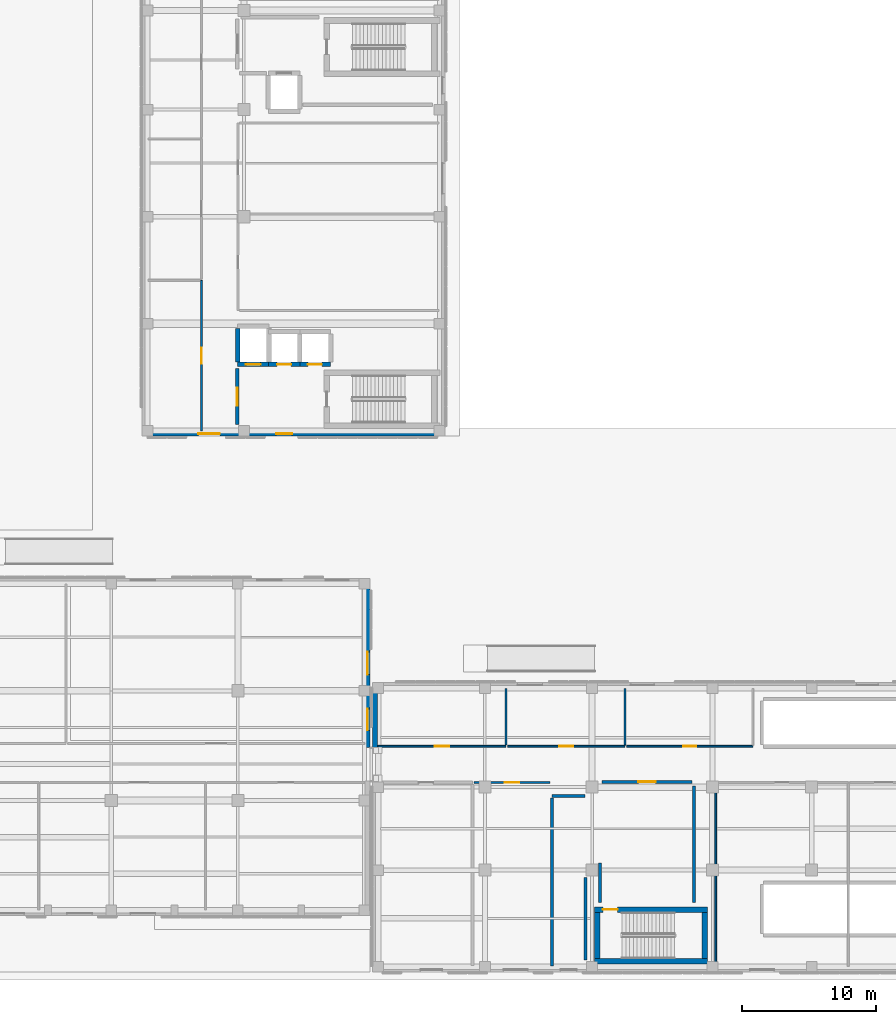
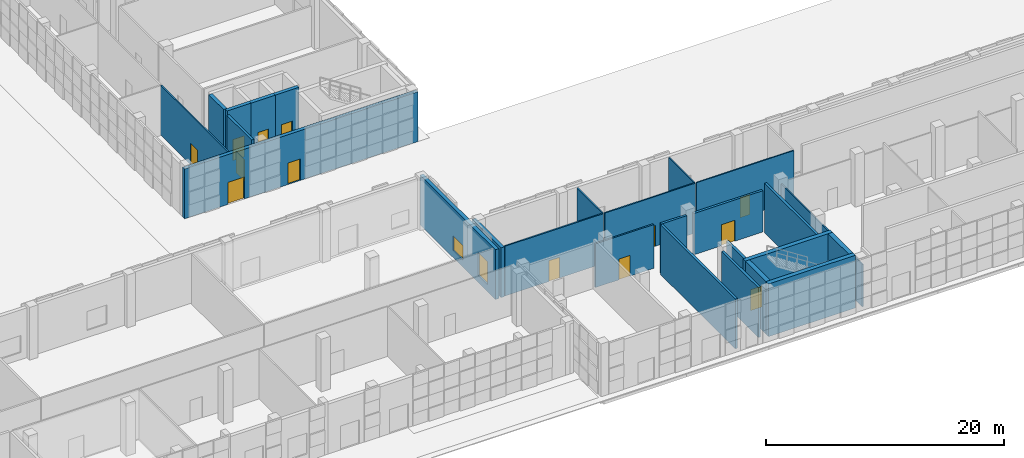
# One storey, part 11 of 40: 26 walls, 13 doors, 2 windows, 15 openings.
"""IFC4 building model written with IfcOpenShell, lengths in metres."""

import ifcopenshell
import ifcopenshell.guid

model = None  # the IFC model being written
_history = None  # IfcOwnerHistory: only IFC2X3 demands one
_inside = {}  # id of a spatial element -> (the spatial element, [elements in it])
_under = {}  # id of a project, library or spatial element -> (it, [spatial elements below it])
_declared = {}  # id of a project -> (the project, [libraries it declares])
_typed = {}  # id of a type object -> (the type object, [elements of that type])
_made_of = {}  # id of a material, layer set ... -> (it, [elements and type objects made of it])


def new_model(schema):
    """Start an empty IFC model of exactly this schema.

    Asked for "IFC4X3", IfcOpenShell would pick the latest addendum, in which some entities
    have other attributes; the version numbers below select the first issue.
    IFC2X3 requires an IfcOwnerHistory on every rooted entity: one is made here for all.
    """
    global model, _history
    if schema == "IFC4X3":
        model = ifcopenshell.file(schema_version=(4, 3, 0, 0))
    else:
        model = ifcopenshell.file(schema=schema)
    _inside.clear()
    _under.clear()
    _declared.clear()
    _typed.clear()
    _made_of.clear()
    _history = None
    if model.schema == "IFC2X3":
        org = make("IfcOrganization", Name="unknown")
        user = make(
            "IfcPersonAndOrganization",
            ThePerson=make("IfcPerson", FamilyName="unknown"),
            TheOrganization=org,
        )
        app = make(
            "IfcApplication",
            ApplicationDeveloper=org,
            Version="unknown",
            ApplicationFullName="unknown",
            ApplicationIdentifier="unknown",
        )
        _history = make(
            "IfcOwnerHistory",
            OwningUser=user,
            OwningApplication=app,
            ChangeAction="ADDED",
            CreationDate=0,
        )
    return model


def make(cls, **values):
    """One entity of the class cls with the attributes given. An attribute that is None is left unset."""
    return model.create_entity(
        cls, **{name: value for name, value in values.items() if value is not None}
    )


def rooted(cls, **values):
    """An entity with a GlobalId (a new one), such as an element, a storey or a relation."""
    return make(cls, GlobalId=ifcopenshell.guid.new(), OwnerHistory=_history, **values)


def si_unit(unit_type, name, prefix=None):
    """IfcSIUnit, for example si_unit("LENGTHUNIT", "METRE", prefix="MILLI")."""
    return make("IfcSIUnit", UnitType=unit_type, Prefix=prefix, Name=name)


def assignment(units):
    """IfcUnitAssignment: the units of a project."""
    return None if units is None else make("IfcUnitAssignment", Units=units)


def point(xyz):
    """IfcCartesianPoint."""
    return None if xyz is None else make("IfcCartesianPoint", Coordinates=xyz)


def direction(xyz):
    """IfcDirection."""
    return None if xyz is None else make("IfcDirection", DirectionRatios=xyz)


def frame(location, z_axis=None, x_axis=None):
    """IfcAxis2Placement3D, a coordinate frame: its origin and axes. An axis left out is left unset."""
    return make(
        "IfcAxis2Placement3D",
        Location=point(location),
        Axis=direction(z_axis),
        RefDirection=direction(x_axis),
    )


def frame_2d(location, x_axis=None):
    """IfcAxis2Placement2D, a coordinate frame in the plane: its origin and x axis."""
    return make(
        "IfcAxis2Placement2D", Location=point(location), RefDirection=direction(x_axis)
    )


def origin():
    """The frame at (0, 0, 0) with its axes left unset."""
    return frame((0.0, 0.0, 0.0))


def place(relative_to, where):
    """IfcLocalPlacement: puts the frame where relative to a parent placement (None: the world)."""
    return make(
        "IfcLocalPlacement", PlacementRelTo=relative_to, RelativePlacement=where
    )


def context(
    kind, dimensions, precision=None, world=None, true_north=None, identifier=None
):
    """IfcGeometricRepresentationContext, for example the 3D "Model" context."""
    return make(
        "IfcGeometricRepresentationContext",
        ContextIdentifier=identifier,
        ContextType=kind,
        CoordinateSpaceDimension=dimensions,
        Precision=precision,
        WorldCoordinateSystem=world,
        TrueNorth=true_north,
    )


def subcontext(parent, identifier, kind, view, scale=None):
    """IfcGeometricRepresentationSubContext, for example "Body" below "Model"."""
    return make(
        "IfcGeometricRepresentationSubContext",
        ContextIdentifier=identifier,
        ContextType=kind,
        ParentContext=parent,
        TargetScale=scale,
        TargetView=view,
    )


def project(units=None, contexts=None):
    """IfcProject with its units and contexts."""
    return rooted(
        "IfcProject",
        Name="project",
        RepresentationContexts=contexts,
        UnitsInContext=assignment(units),
    )


def spatial(cls, under=None, at=None, **own):
    """A site, building, storey or space (cls), placed at a placement, below another one or the project."""
    s = rooted(cls, ObjectPlacement=at, **own)
    if under is not None:
        _under.setdefault(under.id(), (under, []))[1].append(s)
    return s


def profile(cls, at=None, kind="AREA", **sizes):
    """A parametric profile (cls). Its sizes go by their IFC names, for example OverallWidth=200.0."""
    return make(cls, ProfileType=kind, Position=at, **sizes)


def rectangle(**sizes):
    """IfcRectangleProfileDef."""
    return profile("IfcRectangleProfileDef", **sizes)


def extrude(swept, where, along, depth):
    """IfcExtrudedAreaSolid: the profile swept, set in the frame where, extruded along a direction by depth."""
    return make(
        "IfcExtrudedAreaSolid",
        SweptArea=swept,
        Position=where,
        ExtrudedDirection=direction(along),
        Depth=depth,
    )


def shape(context_of_items, identifier, shape_type, items):
    """IfcShapeRepresentation: the items that make up one representation, for example the "Body"."""
    return make(
        "IfcShapeRepresentation",
        ContextOfItems=context_of_items,
        RepresentationIdentifier=identifier,
        RepresentationType=shape_type,
        Items=items,
    )


def material(Name=None, Category=None):
    """IfcMaterial."""
    return make("IfcMaterial", Name=Name, Category=Category)


def layer(
    of_material, thickness, ventilated=None, Name=None, Category=None, Priority=None
):
    """IfcMaterialLayer: one layer of a wall or slab, of a material (None: an air gap)."""
    return make(
        "IfcMaterialLayer",
        Material=of_material,
        LayerThickness=thickness,
        IsVentilated=ventilated,
        Name=Name,
        Category=Category,
        Priority=Priority,
    )


def layer_set(layers, Name=None):
    """IfcMaterialLayerSet."""
    return make("IfcMaterialLayerSet", MaterialLayers=layers, LayerSetName=Name)


def made_of(thing, what):
    """Note that an element or type object is made of a material, layer set ...; save() writes the relation."""
    if what is not None:
        _made_of.setdefault(what.id(), (what, []))[1].append(thing)
    return thing


def type_object(cls, material=None, **own):
    """A type object (cls), such as IfcWallType, which elements share."""
    return made_of(rooted(cls, **own), material)


def element(
    cls,
    number,
    at=None,
    inside=None,
    cuts=None,
    type_object=None,
    material=None,
    context=None,
    identifier="Body",
    shape_type=None,
    held_by="IfcProductDefinitionShape",
    body=None,
    shapes=None,
    **own,
):
    """One element of the class cls, such as IfcWall. Its Tag is "e" and its number.

    at: its placement. inside: the storey or other place that contains it. cuts: it is an
    opening in that element (IfcRelVoidsElement). A single representation is given by context,
    identifier, shape_type and body (its items); several are given by shapes. held_by: the class
    of the entity that holds the representations. save() writes the other relations.
    """
    e = rooted(cls, Tag="e%d" % number, ObjectPlacement=at, **own)
    if body is not None:
        shapes = [shape(context, identifier, shape_type, body)]
    if shapes is not None:
        e.Representation = make(held_by, Representations=shapes)
    if inside is not None:
        _inside.setdefault(inside.id(), (inside, []))[1].append(e)
    if cuts is not None:
        rooted(
            "IfcRelVoidsElement", RelatingBuildingElement=cuts, RelatedOpeningElement=e
        )
    if type_object is not None:
        _typed.setdefault(type_object.id(), (type_object, []))[1].append(e)
    return made_of(e, material)


def fill(opening, filler):
    """IfcRelFillsElement: the door or window that sits in an opening."""
    return rooted(
        "IfcRelFillsElement",
        RelatingOpeningElement=opening,
        RelatedBuildingElement=filler,
    )


def aggregate(whole, parts):
    """IfcRelAggregates: a whole, such as a stair, and the parts it consists of."""
    return rooted("IfcRelAggregates", RelatingObject=whole, RelatedObjects=parts)


def save(model, path):
    """Write the relations noted so far, then the file.

    IfcRelAggregates (storeys below a building ...), IfcRelContainedInSpatialStructure (elements
    in a storey), IfcRelDefinesByType, IfcRelAssociatesMaterial and IfcRelDeclares: one each for
    every whole, place, type object, material and project.
    """
    for whole, parts in _under.values():
        aggregate(whole, parts)
    for where, things in _inside.values():
        rooted(
            "IfcRelContainedInSpatialStructure",
            RelatedElements=things,
            RelatingStructure=where,
        )
    for kind, things in _typed.values():
        rooted("IfcRelDefinesByType", RelatedObjects=things, RelatingType=kind)
    for what, things in _made_of.values():
        rooted("IfcRelAssociatesMaterial", RelatedObjects=things, RelatingMaterial=what)
    for by, libraries in _declared.values():
        rooted("IfcRelDeclares", RelatingContext=by, RelatedDefinitions=libraries)
    model.write(path)


model = new_model("IFC4")

# Units and contexts
model_context = context("Model", 3, precision=1e-05, world=origin(), true_north=direction((0.0, 1.0)))
body_context = subcontext(model_context, "Body", "Model", "MODEL_VIEW")
ifc_project = project(units=[si_unit("LENGTHUNIT", "METRE"), si_unit("AREAUNIT", "SQUARE_METRE"), si_unit("VOLUMEUNIT", "CUBIC_METRE"), si_unit("PLANEANGLEUNIT", "RADIAN"), si_unit("MASSUNIT", "GRAM", prefix="KILO")], contexts=[model_context])

# Site, building, storey
site_placement = place(None, origin())
site = spatial("IfcSite", under=ifc_project, at=site_placement, CompositionType="ELEMENT")
building_placement = place(site_placement, origin())
building = spatial("IfcBuilding", under=site, at=building_placement, Name="Qalavern Law Courts", CompositionType="ELEMENT")
storey_placement = place(building_placement, origin())
storey = spatial("IfcBuildingStorey", under=building, at=storey_placement, Name="L00", CompositionType="ELEMENT", Elevation=0.0)

# Wall, openings, windows
ifc_material_1 = material(Name="Concrete C40/50", Category="concrete")
ifc_layer_1 = layer(ifc_material_1, 0.340087890625)
ifc_layer_set_1 = layer_set([ifc_layer_1], Name="Concrete C40/50")
wall_type_1 = type_object("IfcWallType", Name="ENV-EW-340", PredefinedType="SOLIDWALL", material=ifc_layer_set_1)
wall_1_placement = place(storey_placement, frame((101.030029296875, 17.75, 0.0), z_axis=(0.0, 0.0, 1.0), x_axis=(0.0, 1.0, 0.0)))
wall_1 = element("IfcWall", 1, at=wall_1_placement, inside=storey, type_object=wall_type_1, Name="V2 exterior wall L00 east 2", PredefinedType="SOLIDWALL", context=body_context, shape_type="SweptSolid", body=[
    extrude(rectangle(XDim=12.64990234375, YDim=0.340087890625, at=frame_2d((6.324951171875, 0.0))), origin(), (0.0, 0.0, 1.0), 5.10009765625),
])
opening_1_placement = place(wall_1_placement, frame((1.300048828125, 0.0, 0.719970703125)))
opening_1 = element("IfcOpeningElement", 2, at=opening_1_placement, cuts=wall_1, Name="Opening WN-34", PredefinedType="OPENING", context=body_context, shape_type="SweptSolid", body=[
    extrude(rectangle(XDim=1.60009765625, YDim=2.35009765625, at=frame_2d((0.800048828125, 1.175048828125))), frame((0.0, 0.18505859375, 0.0), z_axis=(0.0, -1.0, 0.0), x_axis=(1.0, 0.0, 0.0)), (0.0, 0.0, 1.0), 0.369873046875),
])
opening_2_placement = place(wall_1_placement, frame((5.449951171875, 0.0, 0.719970703125)))
opening_2 = element("IfcOpeningElement", 3, at=opening_2_placement, cuts=wall_1, Name="Opening WN-05", PredefinedType="OPENING", context=body_context, shape_type="SweptSolid", body=[
    extrude(rectangle(XDim=1.699951171875, YDim=1.5, at=frame_2d((0.85009765625, 0.75))), frame((0.0, 0.18505859375, 0.0), z_axis=(0.0, -1.0, 0.0), x_axis=(1.0, 0.0, 0.0)), (0.0, 0.0, 1.0), 0.369873046875),
])
ifc_material_2 = material(Name="Anodised aluminium frame with low-E double glazing", Category="aluminium")
window_type_1 = type_object("IfcWindowType", Name="ENV-WIN-1600x2350", PartitioningType="SINGLE_PANEL", PredefinedType="WINDOW", material=ifc_material_2)
window_1_placement = place(opening_1_placement, origin())
window_1 = element("IfcWindow", 4, at=window_1_placement, inside=storey, type_object=window_type_1, Name="V2 window L00 east 1", OverallHeight=2.35009765625, OverallWidth=1.60009765625, PartitioningType="SINGLE_PANEL", PredefinedType="WINDOW", context=body_context, shape_type="SweptSolid", body=[
    extrude(rectangle(XDim=1.60009765625, YDim=2.35009765625, at=frame_2d((0.800048828125, 1.175048828125))), frame((0.0, 0.030029296875, 0.0), z_axis=(0.0, -1.0, 0.0), x_axis=(1.0, 0.0, 0.0)), (0.0, 0.0, 1.0), 0.06005859375),
])
fill(opening_1, window_1)
window_type_2 = type_object("IfcWindowType", Name="ENV-WIN-1700x1500", PartitioningType="SINGLE_PANEL", PredefinedType="WINDOW", material=ifc_material_2)
window_2_placement = place(opening_2_placement, origin())
window_2 = element("IfcWindow", 5, at=window_2_placement, inside=storey, type_object=window_type_2, Name="V2 window L00 east 2", OverallHeight=1.5, OverallWidth=1.699951171875, PartitioningType="SINGLE_PANEL", PredefinedType="WINDOW", context=body_context, shape_type="SweptSolid", body=[
    extrude(rectangle(XDim=1.699951171875, YDim=1.5, at=frame_2d((0.85009765625, 0.75))), frame((0.0, 0.030029296875, 0.0), z_axis=(0.0, -1.0, 0.0), x_axis=(1.0, 0.0, 0.0)), (0.0, 0.0, 1.0), 0.06005859375),
])
fill(opening_2, window_2)

# Wall, openings, doors
wall_2_placement = place(storey_placement, frame((84.199951171875, 41.18994140625, 0.0), z_axis=(0.0, 0.0, 1.0), x_axis=(1.0, 0.0, 0.0)))
wall_2 = element("IfcWall", 6, at=wall_2_placement, inside=storey, type_object=wall_type_1, Name="V4 exterior wall L00 south 1", PredefinedType="SOLIDWALL", context=body_context, shape_type="SweptSolid", body=[
    extrude(rectangle(XDim=22.60009765625, YDim=0.340087890625, at=frame_2d((11.300048828125, 0.0))), origin(), (0.0, 0.0, 1.0), 5.10009765625),
])
opening_3_placement = place(wall_2_placement, frame((4.199951171875, 0.0, 0.0)))
opening_3 = element("IfcOpeningElement", 7, at=opening_3_placement, cuts=wall_2, Name="Opening ED-CORR-V4S", PredefinedType="OPENING", context=body_context, shape_type="SweptSolid", body=[
    extrude(rectangle(XDim=1.60009765625, YDim=2.260009765625, at=frame_2d((0.800048828125, 1.1298828125))), frame((0.0, 0.18505859375, 0.0), z_axis=(0.0, -1.0, 0.0), x_axis=(1.0, 0.0, 0.0)), (0.0, 0.0, 1.0), 0.369873046875),
])
opening_4_placement = place(wall_2_placement, frame((10.0, 0.0, 0.0)))
opening_4 = element("IfcOpeningElement", 8, at=opening_4_placement, cuts=wall_2, Name="Opening ED-ST-K1A", PredefinedType="OPENING", context=body_context, shape_type="SweptSolid", body=[
    extrude(rectangle(XDim=1.199951171875, YDim=2.199951171875, at=frame_2d((0.60009765625, 1.10009765625))), frame((0.0, 0.18505859375, 0.0), z_axis=(0.0, -1.0, 0.0), x_axis=(1.0, 0.0, 0.0)), (0.0, 0.0, 1.0), 0.369873046875),
])
ifc_material_3 = material(Name="Thermally broken anodised aluminium and laminated safety glass", Category="aluminium")
door_type_1 = type_object("IfcDoorType", Name="ENV-ED-1200x2200", OperationType="NOTDEFINED", PredefinedType="DOOR", material=ifc_material_3)
door_1_placement = place(opening_4_placement, frame((1.199951171875, 0.0, 0.0), z_axis=(0.0, 0.0, 1.0), x_axis=(-1.0, 0.0, 0.0)))
door_1 = element("IfcDoor", 9, at=door_1_placement, inside=storey, type_object=door_type_1, Name="Ground pedestrian exit door ED-ST-K1A", OperationType="SINGLE_SWING_LEFT", OverallHeight=2.199951171875, OverallWidth=1.199951171875, PredefinedType="DOOR", context=body_context, shape_type="SweptSolid", body=[
    extrude(rectangle(XDim=1.199951171875, YDim=2.199951171875, at=frame_2d((0.60009765625, 1.10009765625))), frame((0.0, 0.02490234375, 0.0), z_axis=(0.0, -1.0, 0.0), x_axis=(1.0, 0.0, 0.0)), (0.0, 0.0, 1.0), 0.050048828125),
])
fill(opening_4, door_1)
door_type_2 = type_object("IfcDoorType", Name="ENV-ED-1600x2260", OperationType="DOUBLE_DOOR_SINGLE_SWING", PredefinedType="DOOR", material=ifc_material_3)
door_2_placement = place(opening_3_placement, frame((1.60009765625, 0.0, 0.0), z_axis=(0.0, 0.0, 1.0), x_axis=(-1.0, 0.0, 0.0)))
door_2 = element("IfcDoor", 10, at=door_2_placement, inside=storey, type_object=door_type_2, Name="Ground pedestrian exit door ED-CORR-V4S", OperationType="DOUBLE_DOOR_SINGLE_SWING", OverallHeight=2.260009765625, OverallWidth=1.60009765625, PredefinedType="DOOR", context=body_context, shape_type="SweptSolid", body=[
    extrude(rectangle(XDim=1.60009765625, YDim=2.260009765625, at=frame_2d((0.800048828125, 1.1298828125))), frame((0.0, 0.02490234375, 0.0), z_axis=(0.0, -1.0, 0.0), x_axis=(1.0, 0.0, 0.0)), (0.0, 0.0, 1.0), 0.050048828125),
])
fill(opening_3, door_2)

# Walls
wall_3_placement = place(storey_placement, frame((101.590087890625, 22.60009765625, 0.0), z_axis=(0.0, 0.0, 1.0), x_axis=(0.0, -1.0, 0.0)))
element("IfcWall", 11, at=wall_3_placement, inside=storey, type_object=wall_type_1, Name="V6 exterior wall L00 west 1", PredefinedType="SOLIDWALL", context=body_context, shape_type="SweptSolid", body=[
    extrude(rectangle(XDim=4.85009765625, YDim=0.340087890625, at=frame_2d((2.425048828125, 0.0))), origin(), (0.0, 0.0, 1.0), 5.10009765625),
])
ifc_material_4 = material(Name="Concrete C45/55", Category="concrete")
ifc_layer_2 = layer(ifc_material_4, 0.4150390625)
ifc_layer_set_2 = layer_set([ifc_layer_2], Name="Concrete C45/55")
wall_type_2 = type_object("IfcWallType", Name="INT-CW-415", PredefinedType="SHEAR", material=ifc_layer_set_2)
wall_4_placement = place(storey_placement, frame((117.985107421875, 1.79248046875, 0.0), z_axis=(0.0, 0.0, 1.0), x_axis=(1.0, 0.0, 0.0)))
element("IfcWall", 12, at=wall_4_placement, inside=storey, type_object=wall_type_2, Name="Core K5 stair shear wall L00 south", PredefinedType="SHEAR", context=body_context, shape_type="SweptSolid", body=[
    extrude(rectangle(XDim=8.429931640625, YDim=0.4150390625, at=frame_2d((4.21484375, 0.0))), origin(), (0.0, 0.0, 1.0), 5.39990234375),
])
wall_5_placement = place(storey_placement, frame((126.20751953125, 2.0, 0.0), z_axis=(0.0, 0.0, 1.0), x_axis=(0.0, 1.0, 0.0)))
element("IfcWall", 13, at=wall_5_placement, inside=storey, type_object=wall_type_2, Name="Core K5 stair shear wall L00 east", PredefinedType="SHEAR", context=body_context, shape_type="SweptSolid", body=[
    extrude(rectangle(XDim=3.449951171875, YDim=0.4150390625, at=frame_2d((1.72509765625, 0.0))), origin(), (0.0, 0.0, 1.0), 5.39990234375),
])

# Wall, opening, door
wall_6_placement = place(storey_placement, frame((126.4150390625, 5.657470703125, 0.0), z_axis=(0.0, 0.0, 1.0), x_axis=(-1.0, 0.0, 0.0)))
wall_6 = element("IfcWall", 14, at=wall_6_placement, inside=storey, type_object=wall_type_2, Name="Core K5 stair shear wall L00 north", PredefinedType="SHEAR", context=body_context, shape_type="SweptSolid", body=[
    extrude(rectangle(XDim=8.429931640625, YDim=0.4150390625, at=frame_2d((4.21484375, 0.0))), origin(), (0.0, 0.0, 1.0), 5.39990234375),
])
opening_5_placement = place(wall_6_placement, frame((6.715087890625, 0.0, 0.0)))
opening_5 = element("IfcOpeningElement", 15, at=opening_5_placement, cuts=wall_6, Name="Opening L00-D105", PredefinedType="OPENING", context=body_context, shape_type="SweptSolid", body=[
    extrude(rectangle(XDim=1.10009765625, YDim=2.14990234375, at=frame_2d((0.550048828125, 1.074951171875))), frame((0.0, 0.222412109375, 0.0), z_axis=(0.0, -1.0, 0.0), x_axis=(1.0, 0.0, 0.0)), (0.0, 0.0, 1.0), 0.44482421875),
])
ifc_material_5 = material(Name="Steel fire-rated stair enclosure door", Category="steel")
door_type_3 = type_object("IfcDoorType", Name="INT-FD-1100x2150", OperationType="NOTDEFINED", PredefinedType="DOOR", material=ifc_material_5)
door_3_placement = place(opening_5_placement, frame((1.10009765625, 0.0, 0.0), z_axis=(0.0, 0.0, 1.0), x_axis=(-1.0, 0.0, 0.0)))
door_3 = element("IfcDoor", 16, at=door_3_placement, inside=storey, type_object=door_type_3, Name="Stair K5 fire door L00", OperationType="SINGLE_SWING_LEFT", OverallHeight=2.14990234375, OverallWidth=1.10009765625, PredefinedType="DOOR", context=body_context, shape_type="SweptSolid", body=[
    extrude(rectangle(XDim=1.10009765625, YDim=2.14990234375, at=frame_2d((0.550048828125, 1.074951171875))), frame((0.0, 0.02490234375, 0.0), z_axis=(0.0, -1.0, 0.0), x_axis=(1.0, 0.0, 0.0)), (0.0, 0.0, 1.0), 0.050048828125),
])
fill(opening_5, door_3)

# Wall
wall_7_placement = place(storey_placement, frame((118.1923828125, 5.449951171875, 0.0), z_axis=(0.0, 0.0, 1.0), x_axis=(0.0, -1.0, 0.0)))
element("IfcWall", 17, at=wall_7_placement, inside=storey, type_object=wall_type_2, Name="Core K5 stair shear wall L00 west", PredefinedType="SHEAR", context=body_context, shape_type="SweptSolid", body=[
    extrude(rectangle(XDim=3.449951171875, YDim=0.4150390625, at=frame_2d((1.72509765625, 0.0))), origin(), (0.0, 0.0, 1.0), 5.39990234375),
])

# Wall, opening, door
ifc_layer_3 = layer(ifc_material_1, 0.22509765625)
ifc_layer_set_3 = layer_set([ifc_layer_3], Name="Concrete C40/50")
wall_type_3 = type_object("IfcWallType", Name="INT-FW-225", PredefinedType="PARTITIONING", material=ifc_layer_set_3)
wall_8_placement = place(storey_placement, frame((118.550048828125, 15.199951171875, 0.0), z_axis=(0.0, 0.0, 1.0), x_axis=(1.0, 0.0, 0.0)))
wall_8 = element("IfcWall", 18, at=wall_8_placement, inside=storey, type_object=wall_type_3, Name="Core K5 firefighting/stair lobby fire wall L00", PredefinedType="PARTITIONING", context=body_context, shape_type="SweptSolid", body=[
    extrude(rectangle(XDim=6.699951171875, YDim=0.22509765625, at=frame_2d((3.35009765625, 0.0))), origin(), (0.0, 0.0, 1.0), 4.22998046875),
])
opening_6_placement = place(wall_8_placement, frame((2.699951171875, 0.0, 0.0)))
opening_6 = element("IfcOpeningElement", 19, at=opening_6_placement, cuts=wall_8, Name="Opening L00-D106", PredefinedType="OPENING", context=body_context, shape_type="SweptSolid", body=[
    extrude(rectangle(XDim=1.300048828125, YDim=2.14990234375, at=frame_2d((0.64990234375, 1.074951171875))), frame((0.0, 0.12744140625, 0.0), z_axis=(0.0, -1.0, 0.0), x_axis=(1.0, 0.0, 0.0)), (0.0, 0.0, 1.0), 0.2548828125),
])
ifc_material_6 = material(Name="Steel fire-rated frame and acoustic timber leaves", Category="steel")
door_type_4 = type_object("IfcDoorType", Name="INT-FD-1300x2150", OperationType="DOUBLE_DOOR_SINGLE_SWING", PredefinedType="DOOR", material=ifc_material_6)
door_4_placement = place(opening_6_placement, origin())
door_4 = element("IfcDoor", 20, at=door_4_placement, inside=storey, type_object=door_type_4, Name="Core K5 lobby fire door L00", OperationType="DOUBLE_DOOR_SINGLE_SWING", OverallHeight=2.14990234375, OverallWidth=1.300048828125, PredefinedType="DOOR", context=body_context, shape_type="SweptSolid", body=[
    extrude(rectangle(XDim=1.300048828125, YDim=2.14990234375, at=frame_2d((0.64990234375, 1.074951171875))), frame((0.0, 0.02490234375, 0.0), z_axis=(0.0, -1.0, 0.0), x_axis=(1.0, 0.0, 0.0)), (0.0, 0.0, 1.0), 0.050048828125),
])
fill(opening_6, door_4)

# Walls
wall_9_placement = place(storey_placement, frame((118.39990234375, 6.199951171875, 0.0), z_axis=(0.0, 0.0, 1.0), x_axis=(0.0, 1.0, 0.0)))
element("IfcWall", 21, at=wall_9_placement, inside=storey, type_object=wall_type_3, Name="Core K5 lobby return wall L00 west", PredefinedType="PARTITIONING", context=body_context, shape_type="SweptSolid", body=[
    extrude(rectangle(XDim=2.949951171875, YDim=0.22509765625, at=frame_2d((1.47509765625, 0.0))), origin(), (0.0, 0.0, 1.0), 5.10009765625),
])
wall_10_placement = place(storey_placement, frame((125.39990234375, 6.199951171875, 0.0), z_axis=(0.0, 0.0, 1.0), x_axis=(0.0, 1.0, 0.0)))
element("IfcWall", 22, at=wall_10_placement, inside=storey, type_object=wall_type_3, Name="Core K5 lobby return wall L00 east", PredefinedType="PARTITIONING", context=body_context, shape_type="SweptSolid", body=[
    extrude(rectangle(XDim=8.699951171875, YDim=0.22509765625, at=frame_2d((4.35009765625, 0.0))), origin(), (0.0, 0.0, 1.0), 5.10009765625),
])
wall_11_placement = place(storey_placement, frame((114.800048828125, 14.14990234375, 0.0), z_axis=(0.0, 0.0, 1.0), x_axis=(1.0, 0.0, 0.0)))
element("IfcWall", 23, at=wall_11_placement, inside=storey, type_object=wall_type_3, Name="Core K5 protected exit discharge wall L00 pas-n", PredefinedType="PARTITIONING", context=body_context, shape_type="SweptSolid", body=[
    extrude(rectangle(XDim=2.47998046875, YDim=0.22509765625, at=frame_2d((1.239990234375, 0.0))), origin(), (0.0, 0.0, 1.0), 5.10009765625),
])
wall_12_placement = place(storey_placement, frame((114.800048828125, 1.43994140625, 0.0), z_axis=(0.0, 0.0, 1.0), x_axis=(0.0, 1.0, 0.0)))
element("IfcWall", 24, at=wall_12_placement, inside=storey, type_object=wall_type_3, Name="Core K5 protected exit discharge wall L00 pas-w", PredefinedType="PARTITIONING", context=body_context, shape_type="SweptSolid", body=[
    extrude(rectangle(XDim=12.56005859375, YDim=0.22509765625, at=frame_2d((6.280029296875, 0.0))), origin(), (0.0, 0.0, 1.0), 5.10009765625),
])
wall_13_placement = place(storey_placement, frame((117.300048828125, 1.89990234375, 0.0), z_axis=(0.0, 0.0, 1.0), x_axis=(0.0, 1.0, 0.0)))
element("IfcWall", 25, at=wall_13_placement, inside=storey, type_object=wall_type_3, Name="Core K5 protected exit discharge wall L00 pas-e", PredefinedType="PARTITIONING", context=body_context, shape_type="SweptSolid", body=[
    extrude(rectangle(XDim=6.150146484375, YDim=0.22509765625, at=frame_2d((3.0751953125, 0.0))), origin(), (0.0, 0.0, 1.0), 5.10009765625),
])

# Wall, opening, door
ifc_layer_4 = layer(ifc_material_1, 0.2451171875)
ifc_layer_set_4 = layer_set([ifc_layer_4], Name="Concrete C40/50")
wall_type_4 = type_object("IfcWallType", Name="INT-FW-245", PredefinedType="PARTITIONING", material=ifc_layer_set_4)
wall_14_placement = place(storey_placement, frame((91.300048828125, 41.8798828125, 0.0), z_axis=(0.0, 0.0, 1.0), x_axis=(0.0, 1.0, 0.0)))
wall_14 = element("IfcWall", 26, at=wall_14_placement, inside=storey, type_object=wall_type_4, Name="Core K1A firefighting/stair lobby fire wall L00", PredefinedType="PARTITIONING", context=body_context, shape_type="SweptSolid", body=[
    extrude(rectangle(XDim=4.170166015625, YDim=0.2451171875, at=frame_2d((2.0849609375, 0.0))), origin(), (0.0, 0.0, 1.0), 5.10009765625),
])
opening_7_placement = place(wall_14_placement, frame((1.409912109375, 0.0, 0.0)))
opening_7 = element("IfcOpeningElement", 27, at=opening_7_placement, cuts=wall_14, Name="Opening L00-D006", PredefinedType="OPENING", context=body_context, shape_type="SweptSolid", body=[
    extrude(rectangle(XDim=1.35009765625, YDim=2.199951171875, at=frame_2d((0.675048828125, 1.10009765625))), frame((0.0, 0.137451171875, 0.0), z_axis=(0.0, -1.0, 0.0), x_axis=(1.0, 0.0, 0.0)), (0.0, 0.0, 1.0), 0.27490234375),
])
door_type_5 = type_object("IfcDoorType", Name="INT-FD-1350x2200", OperationType="DOUBLE_DOOR_SINGLE_SWING", PredefinedType="DOOR", material=ifc_material_6)
door_5_placement = place(opening_7_placement, origin())
door_5 = element("IfcDoor", 28, at=door_5_placement, inside=storey, type_object=door_type_5, Name="Core K1A lobby fire door L00", OperationType="DOUBLE_DOOR_SINGLE_SWING", OverallHeight=2.199951171875, OverallWidth=1.35009765625, PredefinedType="DOOR", context=body_context, shape_type="SweptSolid", body=[
    extrude(rectangle(XDim=1.35009765625, YDim=2.199951171875, at=frame_2d((0.675048828125, 1.10009765625))), frame((0.0, 0.02490234375, 0.0), z_axis=(0.0, -1.0, 0.0), x_axis=(1.0, 0.0, 0.0)), (0.0, 0.0, 1.0), 0.050048828125),
])
fill(opening_7, door_5)

# Wall
ifc_material_7 = material(Name="Gypsum stud partition")
ifc_layer_5 = layer(ifc_material_7, 0.1220703125)
ifc_layer_set_5 = layer_set([ifc_layer_5], Name="Gypsum stud partition")
wall_type_5 = type_object("IfcWallType", Name="INT-PW-122", PredefinedType="PARTITIONING", material=ifc_layer_set_5)
wall_15_placement = place(storey_placement, frame((127.0400390625, 1.43994140625, 0.0), z_axis=(0.0, 0.0, 1.0), x_axis=(0.0, 1.0, 0.0)))
element("IfcWall", 29, at=wall_15_placement, inside=storey, type_object=wall_type_5, Name="Mediation Suite cross partition L00 west", PredefinedType="PARTITIONING", context=body_context, shape_type="SweptSolid", body=[
    extrude(rectangle(XDim=13.619140625, YDim=0.1220703125, at=frame_2d((6.8095703125, 0.0))), origin(), (0.0, 0.0, 1.0), 4.330078125),
])

# Wall, opening, door
wall_16_placement = place(storey_placement, frame((120.3759765625, 17.860107421875, 0.0), z_axis=(0.0, 0.0, 1.0), x_axis=(1.0, 0.0, 0.0)))
wall_16 = element("IfcWall", 30, at=wall_16_placement, inside=storey, type_object=wall_type_5, Name="Accessible WC corridor partition L00", PredefinedType="PARTITIONING", context=body_context, shape_type="SweptSolid", body=[
    extrude(rectangle(XDim=9.43408203125, YDim=0.1220703125, at=frame_2d((4.717041015625, 0.0))), origin(), (0.0, 0.0, 1.0), 5.10009765625),
])
opening_8_placement = place(wall_16_placement, frame((4.2470703125, 0.0, 0.0)))
opening_8 = element("IfcOpeningElement", 31, at=opening_8_placement, cuts=wall_16, Name="Opening L00-D421", PredefinedType="OPENING", context=body_context, shape_type="SweptSolid", body=[
    extrude(rectangle(XDim=0.93994140625, YDim=2.070068359375, at=frame_2d((0.469970703125, 1.03515625))), frame((0.0, 0.075927734375, 0.0), z_axis=(0.0, -1.0, 0.0), x_axis=(1.0, 0.0, 0.0)), (0.0, 0.0, 1.0), 0.15185546875),
])
ifc_material_8 = material(Name="Accessible WC outward-clear door")
door_type_6 = type_object("IfcDoorType", Name="INT-ID-940x2070", OperationType="NOTDEFINED", PredefinedType="DOOR", material=ifc_material_8)
door_6_placement = place(opening_8_placement, origin())
door_6 = element("IfcDoor", 32, at=door_6_placement, inside=storey, type_object=door_type_6, Name="Accessible WC door L00", OperationType="SINGLE_SWING_RIGHT", OverallHeight=2.070068359375, OverallWidth=0.93994140625, PredefinedType="DOOR", context=body_context, shape_type="SweptSolid", body=[
    extrude(rectangle(XDim=0.93994140625, YDim=2.070068359375, at=frame_2d((0.469970703125, 1.03515625))), frame((0.0, 0.02490234375, 0.0), z_axis=(0.0, -1.0, 0.0), x_axis=(1.0, 0.0, 0.0)), (0.0, 0.0, 1.0), 0.050048828125),
])
fill(opening_8, door_6)

ifc_layer_6 = layer(ifc_material_7, 0.132080078125)
ifc_layer_set_6 = layer_set([ifc_layer_6], Name="Gypsum stud partition")
wall_type_6 = type_object("IfcWallType", Name="INT-PW-132", PredefinedType="PARTITIONING", material=ifc_layer_set_6)
wall_17_placement = place(storey_placement, frame((88.639892578125, 41.39990234375, 0.0), z_axis=(0.0, 0.0, 1.0), x_axis=(0.0, 1.0, 0.0)))
wall_17 = element("IfcWall", 33, at=wall_17_placement, inside=storey, type_object=wall_type_6, Name="Civil Case Registry corridor partition L00", PredefinedType="PARTITIONING", context=body_context, shape_type="SweptSolid", body=[
    extrude(rectangle(XDim=11.25, YDim=0.132080078125, at=frame_2d((5.625, 0.0))), origin(), (0.0, 0.0, 1.0), 5.10009765625),
])
opening_9_placement = place(wall_17_placement, frame((5.014892578125, 0.0, 0.0)))
opening_9 = element("IfcOpeningElement", 34, at=opening_9_placement, cuts=wall_17, Name="Opening L00-D254", PredefinedType="OPENING", context=body_context, shape_type="SweptSolid", body=[
    extrude(rectangle(XDim=1.219970703125, YDim=2.179931640625, at=frame_2d((0.60986328125, 1.08984375))), frame((0.0, 0.0810546875, 0.0), z_axis=(0.0, -1.0, 0.0), x_axis=(1.0, 0.0, 0.0)), (0.0, 0.0, 1.0), 0.161865234375),
])
ifc_material_9 = material(Name="Wide oak Plenary Boardroom door")
door_type_7 = type_object("IfcDoorType", Name="INT-ID-1220x2180", OperationType="NOTDEFINED", PredefinedType="DOOR", material=ifc_material_9)
door_7_placement = place(opening_9_placement, frame((1.219970703125, 0.0, 0.0), z_axis=(0.0, 0.0, 1.0), x_axis=(-1.0, 0.0, 0.0)))
door_7 = element("IfcDoor", 35, at=door_7_placement, inside=storey, type_object=door_type_7, Name="Civil Case Registry door L00", OperationType="SINGLE_SWING_LEFT", OverallHeight=2.179931640625, OverallWidth=1.219970703125, PredefinedType="DOOR", context=body_context, shape_type="SweptSolid", body=[
    extrude(rectangle(XDim=1.219970703125, YDim=2.179931640625, at=frame_2d((0.60986328125, 1.08984375))), frame((0.0, 0.02490234375, 0.0), z_axis=(0.0, -1.0, 0.0), x_axis=(1.0, 0.0, 0.0)), (0.0, 0.0, 1.0), 0.050048828125),
])
fill(opening_9, door_7)

wall_18_placement = place(storey_placement, frame((111.491943359375, 17.860107421875, 0.0), z_axis=(0.0, 0.0, 1.0), x_axis=(1.0, 0.0, 0.0)))
wall_18 = element("IfcWall", 36, at=wall_18_placement, inside=storey, type_object=wall_type_6, Name="Security Control Office corridor partition L00", PredefinedType="PARTITIONING", context=body_context, shape_type="SweptSolid", body=[
    extrude(rectangle(XDim=8.76416015625, YDim=0.132080078125, at=frame_2d((4.382080078125, 0.0))), origin(), (0.0, 0.0, 1.0), 5.10009765625),
])
opening_10_placement = place(wall_18_placement, frame((3.866943359375, 0.0, 0.0)))
opening_10 = element("IfcOpeningElement", 37, at=opening_10_placement, cuts=wall_18, Name="Opening L00-D420", PredefinedType="OPENING", context=body_context, shape_type="SweptSolid", body=[
    extrude(rectangle(XDim=1.030029296875, YDim=2.110107421875, at=frame_2d((0.51513671875, 1.05517578125))), frame((0.0, 0.0810546875, 0.0), z_axis=(0.0, -1.0, 0.0), x_axis=(1.0, 0.0, 0.0)), (0.0, 0.0, 1.0), 0.161865234375),
])
ifc_material_10 = material(Name="Oak Mediation Suite door")
door_type_8 = type_object("IfcDoorType", Name="INT-ID-1030x2110", OperationType="NOTDEFINED", PredefinedType="DOOR", material=ifc_material_10)
door_8_placement = place(opening_10_placement, origin())
door_8 = element("IfcDoor", 38, at=door_8_placement, inside=storey, type_object=door_type_8, Name="Security Control Office door L00", OperationType="SINGLE_SWING_LEFT", OverallHeight=2.110107421875, OverallWidth=1.030029296875, PredefinedType="DOOR", context=body_context, shape_type="SweptSolid", body=[
    extrude(rectangle(XDim=1.030029296875, YDim=2.110107421875, at=frame_2d((0.51513671875, 1.05517578125))), frame((0.0, 0.02490234375, 0.0), z_axis=(0.0, -1.0, 0.0), x_axis=(1.0, 0.0, 0.0)), (0.0, 0.0, 1.0), 0.050048828125),
])
fill(opening_10, door_8)

# Wall
wall_19_placement = place(storey_placement, frame((120.256103515625, 17.946044921875, 0.0), z_axis=(0.0, 0.0, 1.0), x_axis=(0.0, 1.0, 0.0)))
element("IfcWall", 39, at=wall_19_placement, inside=storey, type_object=wall_type_6, Name="Security Control Office cross partition L00 east", PredefinedType="PARTITIONING", context=body_context, shape_type="SweptSolid", body=[
    extrude(rectangle(XDim=4.2138671875, YDim=0.132080078125, at=frame_2d((2.10693359375, 0.0))), origin(), (0.0, 0.0, 1.0), 5.10009765625),
])

# Wall, opening, door
ifc_layer_7 = layer(ifc_material_7, 0.14208984375)
ifc_layer_set_7 = layer_set([ifc_layer_7], Name="Gypsum stud partition")
wall_type_7 = type_object("IfcWallType", Name="INT-PW-142", PredefinedType="PARTITIONING", material=ifc_layer_set_7)
wall_20_placement = place(storey_placement, frame((101.800048828125, 17.860107421875, 0.0), z_axis=(0.0, 0.0, 1.0), x_axis=(1.0, 0.0, 0.0)))
wall_20 = element("IfcWall", 40, at=wall_20_placement, inside=storey, type_object=wall_type_7, Name="Legal Aid Clinic corridor partition L00", PredefinedType="PARTITIONING", context=body_context, shape_type="SweptSolid", body=[
    extrude(rectangle(XDim=9.572021484375, YDim=0.14208984375, at=frame_2d((4.7861328125, 0.0))), origin(), (0.0, 0.0, 1.0), 5.10009765625),
])
opening_11_placement = place(wall_20_placement, frame((4.256103515625, 0.0, 0.0)))
opening_11 = element("IfcOpeningElement", 41, at=opening_11_placement, cuts=wall_20, Name="Opening L00-D419", PredefinedType="OPENING", context=body_context, shape_type="SweptSolid", body=[
    extrude(rectangle(XDim=1.06005859375, YDim=2.1201171875, at=frame_2d((0.530029296875, 1.06005859375))), frame((0.0, 0.0859375, 0.0), z_axis=(0.0, -1.0, 0.0), x_axis=(1.0, 0.0, 0.0)), (0.0, 0.0, 1.0), 0.171875),
])
ifc_material_11 = material(Name="Solid oak Trial Judges' Chambers door")
door_type_9 = type_object("IfcDoorType", Name="INT-ID-1060x2120", OperationType="NOTDEFINED", PredefinedType="DOOR", material=ifc_material_11)
door_9_placement = place(opening_11_placement, origin())
door_9 = element("IfcDoor", 42, at=door_9_placement, inside=storey, type_object=door_type_9, Name="Legal Aid Clinic door L00", OperationType="SINGLE_SWING_RIGHT", OverallHeight=2.1201171875, OverallWidth=1.06005859375, PredefinedType="DOOR", context=body_context, shape_type="SweptSolid", body=[
    extrude(rectangle(XDim=1.06005859375, YDim=2.1201171875, at=frame_2d((0.530029296875, 1.06005859375))), frame((0.0, 0.02490234375, 0.0), z_axis=(0.0, -1.0, 0.0), x_axis=(1.0, 0.0, 0.0)), (0.0, 0.0, 1.0), 0.050048828125),
])
fill(opening_11, door_9)

# Wall
wall_21_placement = place(storey_placement, frame((111.3720703125, 17.950927734375, 0.0), z_axis=(0.0, 0.0, 1.0), x_axis=(0.0, 1.0, 0.0)))
element("IfcWall", 43, at=wall_21_placement, inside=storey, type_object=wall_type_7, Name="Legal Aid Clinic cross partition L00 east", PredefinedType="PARTITIONING", context=body_context, shape_type="SweptSolid", body=[
    extrude(rectangle(XDim=4.208984375, YDim=0.14208984375, at=frame_2d((2.1044921875, 0.0))), origin(), (0.0, 0.0, 1.0), 5.10009765625),
])

# Wall, opening, door
ifc_layer_8 = layer(ifc_material_7, 0.152099609375)
ifc_layer_set_8 = layer_set([ifc_layer_8], Name="Gypsum stud partition")
wall_type_8 = type_object("IfcWallType", Name="INT-PW-152", PredefinedType="PARTITIONING", material=ifc_layer_set_8)
wall_22_placement = place(storey_placement, frame((108.989990234375, 15.139892578125, 0.0), z_axis=(0.0, 0.0, 1.0), x_axis=(1.0, 0.0, 0.0)))
wall_22 = element("IfcWall", 44, at=wall_22_placement, inside=storey, type_object=wall_type_8, Name="Mediation Suite corridor partition L00", PredefinedType="PARTITIONING", context=body_context, shape_type="SweptSolid", body=[
    extrude(rectangle(XDim=5.669921875, YDim=0.152099609375, at=frame_2d((2.8349609375, 0.0))), origin(), (0.0, 0.0, 1.0), 4.47998046875),
])
opening_12_placement = place(wall_22_placement, frame((2.2900390625, 0.0, 0.0)))
opening_12 = element("IfcOpeningElement", 45, at=opening_12_placement, cuts=wall_22, Name="Opening L00-D418", PredefinedType="OPENING", context=body_context, shape_type="SweptSolid", body=[
    extrude(rectangle(XDim=1.090087890625, YDim=2.1298828125, at=frame_2d((0.544921875, 1.06494140625))), frame((0.0, 0.0908203125, 0.0), z_axis=(0.0, -1.0, 0.0), x_axis=(1.0, 0.0, 0.0)), (0.0, 0.0, 1.0), 0.181884765625),
])
ifc_material_12 = material(Name="Solid oak Senior Judges' Chambers door")
door_type_10 = type_object("IfcDoorType", Name="INT-ID-1090x2130", OperationType="NOTDEFINED", PredefinedType="DOOR", material=ifc_material_12)
door_10_placement = place(opening_12_placement, frame((1.090087890625, 0.0, 0.0), z_axis=(0.0, 0.0, 1.0), x_axis=(-1.0, 0.0, 0.0)))
door_10 = element("IfcDoor", 46, at=door_10_placement, inside=storey, type_object=door_type_10, Name="Mediation Suite door L00", OperationType="SINGLE_SWING_LEFT", OverallHeight=2.1298828125, OverallWidth=1.090087890625, PredefinedType="DOOR", context=body_context, shape_type="SweptSolid", body=[
    extrude(rectangle(XDim=1.090087890625, YDim=2.1298828125, at=frame_2d((0.544921875, 1.06494140625))), frame((0.0, 0.02490234375, 0.0), z_axis=(0.0, -1.0, 0.0), x_axis=(1.0, 0.0, 0.0)), (0.0, 0.0, 1.0), 0.050048828125),
])
fill(opening_12, door_10)

ifc_layer_9 = layer(ifc_material_4, 0.344970703125)
ifc_layer_set_9 = layer_set([ifc_layer_9], Name="Concrete C45/55")
wall_type_9 = type_object("IfcWallType", Name="INT-SW-345", PredefinedType="SHEAR", material=ifc_layer_set_9)
wall_23_placement = place(storey_placement, frame((91.327392578125, 46.37744140625, 0.0), z_axis=(0.0, 0.0, 1.0), x_axis=(1.0, 0.0, 0.0)))
wall_23 = element("IfcWall", 47, at=wall_23_placement, inside=storey, type_object=wall_type_9, Name="Lift LF-FF1 shaft wall L00 south", PredefinedType="SHEAR", context=body_context, shape_type="SweptSolid", body=[
    extrude(rectangle(XDim=2.34521484375, YDim=0.344970703125, at=frame_2d((1.172607421875, 0.0))), origin(), (0.0, 0.0, 1.0), 5.39990234375),
])
opening_13_placement = place(wall_23_placement, frame((0.62255859375, 0.0, 0.0)))
opening_13 = element("IfcOpeningElement", 48, at=opening_13_placement, cuts=wall_23, Name="Opening LD-LF-FF1-L00", PredefinedType="OPENING", context=body_context, shape_type="SweptSolid", body=[
    extrude(rectangle(XDim=1.10009765625, YDim=2.159912109375, at=frame_2d((0.550048828125, 1.080078125))), frame((0.0, 0.1875, 0.0), z_axis=(0.0, -1.0, 0.0), x_axis=(1.0, 0.0, 0.0)), (0.0, 0.0, 1.0), 0.374755859375),
])
ifc_material_13 = material(Name="Stainless steel firefighting lift sliding landing door", Category="steel")
door_type_11 = type_object("IfcDoorType", Name="INT-LD-1100x2160", OperationType="DOUBLE_DOOR_SLIDING", PredefinedType="DOOR", material=ifc_material_13)
door_11_placement = place(opening_13_placement, origin())
door_11 = element("IfcDoor", 49, at=door_11_placement, inside=storey, type_object=door_type_11, Name="Lift LF-FF1 sliding landing door L00", OperationType="DOUBLE_DOOR_SLIDING", OverallHeight=2.159912109375, OverallWidth=1.10009765625, PredefinedType="DOOR", context=body_context, shape_type="SweptSolid", body=[
    extrude(rectangle(XDim=1.10009765625, YDim=2.159912109375, at=frame_2d((0.550048828125, 1.080078125))), frame((0.0, 0.02490234375, 0.0), z_axis=(0.0, -1.0, 0.0), x_axis=(1.0, 0.0, 0.0)), (0.0, 0.0, 1.0), 0.050048828125),
])
fill(opening_13, door_11)

# Wall
wall_24_placement = place(storey_placement, frame((91.327392578125, 49.050048828125, 0.0), z_axis=(0.0, 0.0, 1.0), x_axis=(0.0, -1.0, 0.0)))
element("IfcWall", 50, at=wall_24_placement, inside=storey, type_object=wall_type_9, Name="Lift LF-FF1 shaft wall L00 west", PredefinedType="SHEAR", context=body_context, shape_type="SweptSolid", body=[
    extrude(rectangle(XDim=2.5, YDim=0.344970703125, at=frame_2d((1.25, 0.0))), origin(), (0.0, 0.0, 1.0), 5.39990234375),
])

# Wall, opening, door
wall_25_placement = place(storey_placement, frame((93.62744140625, 46.37744140625, 0.0), z_axis=(0.0, 0.0, 1.0), x_axis=(1.0, 0.0, 0.0)))
wall_25 = element("IfcWall", 51, at=wall_25_placement, inside=storey, type_object=wall_type_9, Name="Lift LF-P1 shaft wall L00 south", PredefinedType="SHEAR", context=body_context, shape_type="SweptSolid", body=[
    extrude(rectangle(XDim=2.344970703125, YDim=0.344970703125, at=frame_2d((1.17236328125, 0.0))), origin(), (0.0, 0.0, 1.0), 5.39990234375),
])
opening_14_placement = place(wall_25_placement, frame((0.6474609375, 0.0, 0.0)))
opening_14 = element("IfcOpeningElement", 52, at=opening_14_placement, cuts=wall_25, Name="Opening LD-LF-P1-L00", PredefinedType="OPENING", context=body_context, shape_type="SweptSolid", body=[
    extrude(rectangle(XDim=1.050048828125, YDim=2.14990234375, at=frame_2d((0.52490234375, 1.074951171875))), frame((0.0, 0.1875, 0.0), z_axis=(0.0, -1.0, 0.0), x_axis=(1.0, 0.0, 0.0)), (0.0, 0.0, 1.0), 0.374755859375),
])
ifc_material_14 = material(Name="Brushed stainless steel passenger lift sliding landing door", Category="steel")
door_type_12 = type_object("IfcDoorType", Name="INT-LD-1050x2150", OperationType="DOUBLE_DOOR_SLIDING", PredefinedType="DOOR", material=ifc_material_14)
door_12_placement = place(opening_14_placement, origin())
door_12 = element("IfcDoor", 53, at=door_12_placement, inside=storey, type_object=door_type_12, Name="Lift LF-P1 sliding landing door L00", OperationType="DOUBLE_DOOR_SLIDING", OverallHeight=2.14990234375, OverallWidth=1.050048828125, PredefinedType="DOOR", context=body_context, shape_type="SweptSolid", body=[
    extrude(rectangle(XDim=1.050048828125, YDim=2.14990234375, at=frame_2d((0.52490234375, 1.074951171875))), frame((0.0, 0.02490234375, 0.0), z_axis=(0.0, -1.0, 0.0), x_axis=(1.0, 0.0, 0.0)), (0.0, 0.0, 1.0), 0.050048828125),
])
fill(opening_14, door_12)

wall_26_placement = place(storey_placement, frame((95.927490234375, 46.37744140625, 0.0), z_axis=(0.0, 0.0, 1.0), x_axis=(1.0, 0.0, 0.0)))
wall_26 = element("IfcWall", 54, at=wall_26_placement, inside=storey, type_object=wall_type_9, Name="Lift LF-P2 shaft wall L00 south", PredefinedType="SHEAR", context=body_context, shape_type="SweptSolid", body=[
    extrude(rectangle(XDim=2.344970703125, YDim=0.344970703125, at=frame_2d((1.17236328125, 0.0))), origin(), (0.0, 0.0, 1.0), 5.39990234375),
])
opening_15_placement = place(wall_26_placement, frame((0.6474609375, 0.0, 0.0)))
opening_15 = element("IfcOpeningElement", 55, at=opening_15_placement, cuts=wall_26, Name="Opening LD-LF-P2-L00", PredefinedType="OPENING", context=body_context, shape_type="SweptSolid", body=[
    extrude(rectangle(XDim=1.050048828125, YDim=2.14990234375, at=frame_2d((0.52490234375, 1.074951171875))), frame((0.0, 0.1875, 0.0), z_axis=(0.0, -1.0, 0.0), x_axis=(1.0, 0.0, 0.0)), (0.0, 0.0, 1.0), 0.374755859375),
])
door_13_placement = place(opening_15_placement, origin())
door_13 = element("IfcDoor", 56, at=door_13_placement, inside=storey, type_object=door_type_12, Name="Lift LF-P2 sliding landing door L00", OperationType="DOUBLE_DOOR_SLIDING", OverallHeight=2.14990234375, OverallWidth=1.050048828125, PredefinedType="DOOR", context=body_context, shape_type="SweptSolid", body=[
    extrude(rectangle(XDim=1.050048828125, YDim=2.14990234375, at=frame_2d((0.52490234375, 1.074951171875))), frame((0.0, 0.02490234375, 0.0), z_axis=(0.0, -1.0, 0.0), x_axis=(1.0, 0.0, 0.0)), (0.0, 0.0, 1.0), 0.050048828125),
])
fill(opening_15, door_13)

save(model, "model.ifc")
